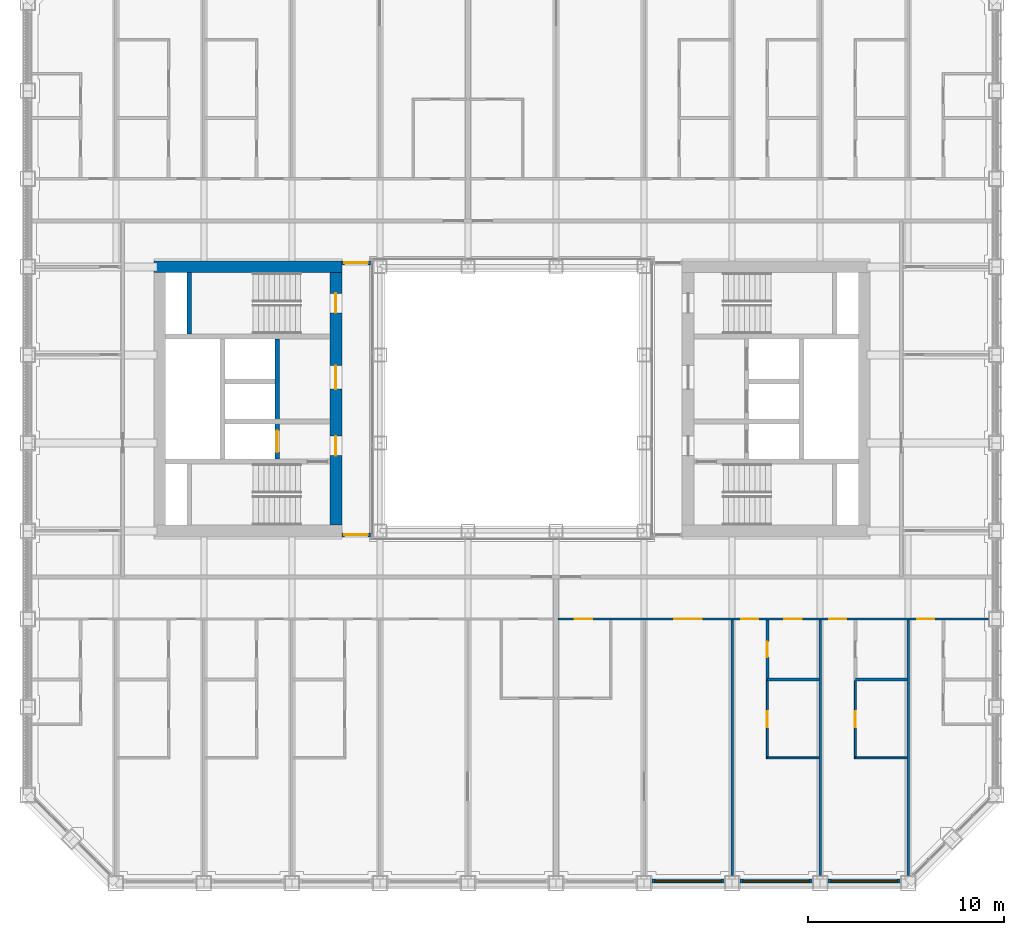
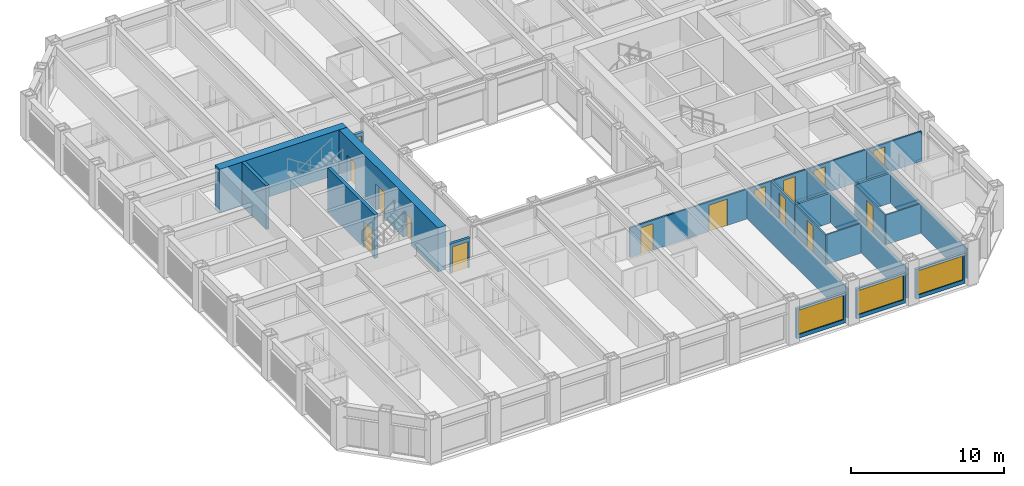
# One storey, part 11 of 21: 20 walls, 15 doors, 3 windows, 18 openings.
"""IFC4 building model written with IfcOpenShell, lengths in metres."""

from ifc_helpers import new_model, si_unit, direction, frame, frame_2d, origin, place, context, subcontext, project, spatial, rectangle, extrude, material, layer, layer_set, type_object, element, fill, save


model = new_model("IFC4")

# Units and contexts
model_context = context("Model", 3, precision=1e-05, world=origin(), true_north=direction((0.0, 1.0)))
body_context = subcontext(model_context, "Body", "Model", "MODEL_VIEW")
ifc_project = project(units=[si_unit("LENGTHUNIT", "METRE"), si_unit("AREAUNIT", "SQUARE_METRE"), si_unit("VOLUMEUNIT", "CUBIC_METRE"), si_unit("PLANEANGLEUNIT", "RADIAN"), si_unit("MASSUNIT", "GRAM", prefix="KILO")], contexts=[model_context])

# Site, building, storey
site_placement = place(None, origin())
site = spatial("IfcSite", under=ifc_project, at=site_placement, CompositionType="ELEMENT")
building_placement = place(site_placement, origin())
building = spatial("IfcBuilding", under=site, at=building_placement, Name="Msasa Ring Tower", CompositionType="ELEMENT")
storey_placement = place(building_placement, frame((0.0, 0.0, 82.5)))
storey = spatial("IfcBuildingStorey", under=building, at=storey_placement, Name="L21", CompositionType="ELEMENT", Elevation=82.5)

# Wall
ifc_material_1 = material(Name="Concrete C60/75", Category="concrete")
ifc_layer_1 = layer(ifc_material_1, 0.60009765625)
ifc_layer_set_1 = layer_set([ifc_layer_1], Name="CW1 CORE WALL 600")
wall_type_1 = type_object("IfcWallType", Name="CW1 CORE WALL 600", PredefinedType="SHEAR", material=ifc_layer_set_1)
wall_1_placement = place(storey_placement, frame((-8.699951171875, 6.75, 0.0), z_axis=(0.0, 0.0, 1.0), x_axis=(-1.0, 0.0, 0.0)))
element("IfcWall", 1, at=wall_1_placement, inside=storey, type_object=wall_type_1, Name="W core wall N L21", PredefinedType="SHEAR", context=body_context, shape_type="SweptSolid", body=[
    extrude(rectangle(XDim=9.60009765625, YDim=0.60009765625, at=frame_2d((4.800048828125, 0.0))), origin(), (0.0, 0.0, 1.0), 3.5),
])

# Wall, openings, doors
wall_2_placement = place(storey_placement, frame((-9.0, -6.449951171875, 0.0), z_axis=(0.0, 0.0, 1.0), x_axis=(0.0, 1.0, 0.0)))
wall_2 = element("IfcWall", 2, at=wall_2_placement, inside=storey, type_object=wall_type_1, Name="W core wall W L21", PredefinedType="SHEAR", context=body_context, shape_type="SweptSolid", body=[
    extrude(rectangle(XDim=12.89990234375, YDim=0.60009765625, at=frame_2d((6.449951171875, 0.0))), origin(), (0.0, 0.0, 1.0), 3.5),
])
opening_1_placement = place(wall_2_placement, frame((3.550048828125, 0.0, 0.0)))
opening_1 = element("IfcOpeningElement", 3, at=opening_1_placement, cuts=wall_2, Name="Opening RF-046", PredefinedType="OPENING", context=body_context, shape_type="SweptSolid", body=[
    extrude(rectangle(XDim=1.0, YDim=2.10009765625, at=frame_2d((0.5, 1.050048828125))), frame((0.0, 0.31005859375, 0.0), z_axis=(0.0, -1.0, 0.0), x_axis=(1.0, 0.0, 0.0)), (0.0, 0.0, 1.0), 0.6201171875),
])
opening_2_placement = place(wall_2_placement, frame((6.949951171875, 0.0, 0.0)))
opening_2 = element("IfcOpeningElement", 4, at=opening_2_placement, cuts=wall_2, Name="Opening RF-042", PredefinedType="OPENING", context=body_context, shape_type="SweptSolid", body=[
    extrude(rectangle(XDim=1.199951171875, YDim=2.10009765625, at=frame_2d((0.60009765625, 1.050048828125))), frame((0.0, 0.31005859375, 0.0), z_axis=(0.0, -1.0, 0.0), x_axis=(1.0, 0.0, 0.0)), (0.0, 0.0, 1.0), 0.6201171875),
])
opening_3_placement = place(wall_2_placement, frame((10.85009765625, 0.0, 0.0)))
opening_3 = element("IfcOpeningElement", 5, at=opening_3_placement, cuts=wall_2, Name="Opening RF-038", PredefinedType="OPENING", context=body_context, shape_type="SweptSolid", body=[
    extrude(rectangle(XDim=1.0, YDim=2.10009765625, at=frame_2d((0.5, 1.050048828125))), frame((0.0, 0.31005859375, 0.0), z_axis=(0.0, -1.0, 0.0), x_axis=(1.0, 0.0, 0.0)), (0.0, 0.0, 1.0), 0.6201171875),
])
ifc_material_2 = material(Name="Timber door leaf in a steel frame", Category="steel")
door_type_1 = type_object("IfcDoorType", Name="D26 WIDE SERVICE ROOM DOOR 1200x2100", OperationType="SINGLE_SWING_LEFT", PredefinedType="DOOR", material=ifc_material_2)
door_1_placement = place(opening_2_placement, origin())
door_1 = element("IfcDoor", 6, at=door_1_placement, inside=storey, type_object=door_type_1, Name="Door L21-WCR", OperationType="SINGLE_SWING_RIGHT", OverallHeight=2.10009765625, OverallWidth=1.199951171875, PredefinedType="DOOR", context=body_context, shape_type="SweptSolid", body=[
    extrude(rectangle(XDim=1.199951171875, YDim=2.10009765625, at=frame_2d((0.60009765625, 1.050048828125))), frame((0.0, 0.02490234375, 0.0), z_axis=(0.0, -1.0, 0.0), x_axis=(1.0, 0.0, 0.0)), (0.0, 0.0, 1.0), 0.050048828125),
])
fill(opening_2, door_1)
ifc_material_3 = material(Name="Timber door leaf in a steel frame", Category="steel")
door_type_2 = type_object("IfcDoorType", Name="D4 LOBBY DOOR 1000x2100", OperationType="SINGLE_SWING_LEFT", PredefinedType="DOOR", material=ifc_material_3)
door_2_placement = place(opening_1_placement, origin())
door_2 = element("IfcDoor", 7, at=door_2_placement, inside=storey, type_object=door_type_2, Name="Door L21-WFFL", OperationType="SINGLE_SWING_LEFT", OverallHeight=2.10009765625, OverallWidth=1.0, PredefinedType="DOOR", context=body_context, shape_type="SweptSolid", body=[
    extrude(rectangle(XDim=1.0, YDim=2.10009765625, at=frame_2d((0.5, 1.050048828125))), frame((0.0, 0.02490234375, 0.0), z_axis=(0.0, -1.0, 0.0), x_axis=(1.0, 0.0, 0.0)), (0.0, 0.0, 1.0), 0.050048828125),
])
fill(opening_1, door_2)
ifc_material_4 = material(Name="Timber door leaf in a steel frame", Category="steel")
door_type_3 = type_object("IfcDoorType", Name="D6 STAIR DOOR 1000x2100", OperationType="SINGLE_SWING_LEFT", PredefinedType="DOOR", material=ifc_material_4)
door_3_placement = place(opening_3_placement, origin())
door_3 = element("IfcDoor", 8, at=door_3_placement, inside=storey, type_object=door_type_3, Name="Door L21-WSTB", OperationType="SINGLE_SWING_RIGHT", OverallHeight=2.10009765625, OverallWidth=1.0, PredefinedType="DOOR", context=body_context, shape_type="SweptSolid", body=[
    extrude(rectangle(XDim=1.0, YDim=2.10009765625, at=frame_2d((0.5, 1.050048828125))), frame((0.0, 0.02490234375, 0.0), z_axis=(0.0, -1.0, 0.0), x_axis=(1.0, 0.0, 0.0)), (0.0, 0.0, 1.0), 0.050048828125),
])
fill(opening_3, door_3)

# Wall
ifc_material_5 = material(Name="Concrete C60/75", Category="concrete")
ifc_layer_2 = layer(ifc_material_5, 0.25)
ifc_layer_set_2 = layer_set([ifc_layer_2], Name="CW4 CORE INNER WALL 250")
wall_type_2 = type_object("IfcWallType", Name="CW4 CORE INNER WALL 250", PredefinedType="SHEAR", material=ifc_layer_set_2)
wall_3_placement = place(storey_placement, frame((-16.5, 3.324951171875, 0.0), z_axis=(0.0, 0.0, 1.0), x_axis=(0.0, 1.0, 0.0)))
element("IfcWall", 9, at=wall_3_placement, inside=storey, type_object=wall_type_2, Name="W core wall RISERB L21", PredefinedType="SHEAR", context=body_context, shape_type="SweptSolid", body=[
    extrude(rectangle(XDim=3.125, YDim=0.25, at=frame_2d((1.5625, 0.0))), origin(), (0.0, 0.0, 1.0), 3.5),
])

# Wall, opening, door
wall_4_placement = place(storey_placement, frame((-12.0, -3.074951171875, 0.0), z_axis=(0.0, 0.0, 1.0), x_axis=(0.0, 1.0, 0.0)))
wall_4 = element("IfcWall", 10, at=wall_4_placement, inside=storey, type_object=wall_type_2, Name="W core wall LOBBY L21", PredefinedType="SHEAR", context=body_context, shape_type="SweptSolid", body=[
    extrude(rectangle(XDim=6.14990234375, YDim=0.25, at=frame_2d((3.074951171875, 0.0))), origin(), (0.0, 0.0, 1.0), 3.5),
])
opening_4_placement = place(wall_4_placement, frame((0.35009765625, 0.0, 0.0)))
opening_4 = element("IfcOpeningElement", 11, at=opening_4_placement, cuts=wall_4, Name="Opening LD1", PredefinedType="OPENING", context=body_context, shape_type="SweptSolid", body=[
    extrude(rectangle(XDim=1.10009765625, YDim=2.10009765625, at=frame_2d((0.550048828125, 1.050048828125))), frame((0.0, 0.135009765625, 0.0), z_axis=(0.0, -1.0, 0.0), x_axis=(1.0, 0.0, 0.0)), (0.0, 0.0, 1.0), 0.27001953125),
])
ifc_material_6 = material(Name="Stainless steel lift landing door", Category="steel")
door_type_4 = type_object("IfcDoorType", Name="LD1 LIFT LANDING DOOR 1100x2100", OperationType="DOUBLE_DOOR_SLIDING", PredefinedType="DOOR", material=ifc_material_6)
door_4_placement = place(opening_4_placement, origin())
door_4 = element("IfcDoor", 12, at=door_4_placement, inside=storey, type_object=door_type_4, Name="Lift landing door FL-W L21", OperationType="DOUBLE_DOOR_SLIDING", OverallHeight=2.10009765625, OverallWidth=1.10009765625, PredefinedType="DOOR", context=body_context, shape_type="SweptSolid", body=[
    extrude(rectangle(XDim=1.10009765625, YDim=2.10009765625, at=frame_2d((0.550048828125, 1.050048828125))), frame((0.0, 0.02490234375, 0.0), z_axis=(0.0, -1.0, 0.0), x_axis=(1.0, 0.0, 0.0)), (0.0, 0.0, 1.0), 0.050048828125),
])
fill(opening_4, door_4)

# Wall, opening, window
ifc_material_7 = material(Name="Terracotta rainscreen on blockwork", Category="masonry")
ifc_layer_3 = layer(ifc_material_7, 0.199951171875)
ifc_layer_set_3 = layer_set([ifc_layer_3], Name="FW1 TERRACOTTA-LINED INFILL BAY WALL 200")
wall_type_3 = type_object("IfcWallType", Name="FW1 TERRACOTTA-LINED INFILL BAY WALL 200", PredefinedType="SOLIDWALL", material=ifc_layer_set_3)
wall_5_placement = place(storey_placement, frame((7.155029296875, -24.64990234375, 0.0), z_axis=(0.0, 0.0, 1.0), x_axis=(1.0, 0.0, 0.0)))
wall_5 = element("IfcWall", 13, at=wall_5_placement, inside=storey, type_object=wall_type_3, Name="Infill bay wall S L21 06", PredefinedType="SOLIDWALL", context=body_context, shape_type="SweptSolid", body=[
    extrude(rectangle(XDim=3.68994140625, YDim=0.199951171875, at=frame_2d((1.844970703125, 0.0))), origin(), (0.0, 0.0, 1.0), 2.37890625),
])
opening_5_placement = place(wall_5_placement, frame((0.14501953125, 0.0, 0.300048828125)))
opening_5 = element("IfcOpeningElement", 14, at=opening_5_placement, cuts=wall_5, Name="Opening WN1", PredefinedType="OPENING", context=body_context, shape_type="SweptSolid", body=[
    extrude(rectangle(XDim=3.39990234375, YDim=1.928955078125, at=frame_2d((1.699951171875, 0.96435546875))), frame((0.0, 0.10986328125, 0.0), z_axis=(0.0, -1.0, 0.0), x_axis=(1.0, 0.0, 0.0)), (0.0, 0.0, 1.0), 0.219970703125),
])
ifc_material_8 = material(Name="Aluminium frame with clear glass", Category="aluminium")
window_type = type_object("IfcWindowType", Name="WN1 RESIDENCE WINDOW 3400x1929", PartitioningType="SINGLE_PANEL", PredefinedType="WINDOW", material=ifc_material_8)
window_1_placement = place(opening_5_placement, origin())
window_1 = element("IfcWindow", 15, at=window_1_placement, inside=storey, type_object=window_type, Name="Window S L21 06", OverallHeight=1.928955078125, OverallWidth=3.39990234375, PartitioningType="SINGLE_PANEL", PredefinedType="WINDOW", context=body_context, shape_type="SweptSolid", body=[
    extrude(rectangle(XDim=3.39990234375, YDim=1.928955078125, at=frame_2d((1.699951171875, 0.96435546875))), frame((0.0, 0.030029296875, 0.0), z_axis=(0.0, -1.0, 0.0), x_axis=(1.0, 0.0, 0.0)), (0.0, 0.0, 1.0), 0.06005859375),
])
fill(opening_5, window_1)

wall_6_placement = place(storey_placement, frame((11.655029296875, -24.64990234375, 0.0), z_axis=(0.0, 0.0, 1.0), x_axis=(1.0, 0.0, 0.0)))
wall_6 = element("IfcWall", 16, at=wall_6_placement, inside=storey, type_object=wall_type_3, Name="Infill bay wall S L21 07", PredefinedType="SOLIDWALL", context=body_context, shape_type="SweptSolid", body=[
    extrude(rectangle(XDim=3.68994140625, YDim=0.199951171875, at=frame_2d((1.844970703125, 0.0))), origin(), (0.0, 0.0, 1.0), 2.37890625),
])
opening_6_placement = place(wall_6_placement, frame((0.14501953125, 0.0, 0.300048828125)))
opening_6 = element("IfcOpeningElement", 17, at=opening_6_placement, cuts=wall_6, Name="Opening WN1", PredefinedType="OPENING", context=body_context, shape_type="SweptSolid", body=[
    extrude(rectangle(XDim=3.39990234375, YDim=1.928955078125, at=frame_2d((1.699951171875, 0.96435546875))), frame((0.0, 0.10986328125, 0.0), z_axis=(0.0, -1.0, 0.0), x_axis=(1.0, 0.0, 0.0)), (0.0, 0.0, 1.0), 0.219970703125),
])
window_2_placement = place(opening_6_placement, origin())
window_2 = element("IfcWindow", 18, at=window_2_placement, inside=storey, type_object=window_type, Name="Window S L21 07", OverallHeight=1.928955078125, OverallWidth=3.39990234375, PartitioningType="SINGLE_PANEL", PredefinedType="WINDOW", context=body_context, shape_type="SweptSolid", body=[
    extrude(rectangle(XDim=3.39990234375, YDim=1.928955078125, at=frame_2d((1.699951171875, 0.96435546875))), frame((0.0, 0.030029296875, 0.0), z_axis=(0.0, -1.0, 0.0), x_axis=(1.0, 0.0, 0.0)), (0.0, 0.0, 1.0), 0.06005859375),
])
fill(opening_6, window_2)

wall_7_placement = place(storey_placement, frame((16.155029296875, -24.64990234375, 0.0), z_axis=(0.0, 0.0, 1.0), x_axis=(1.0, 0.0, 0.0)))
wall_7 = element("IfcWall", 19, at=wall_7_placement, inside=storey, type_object=wall_type_3, Name="Infill bay wall S L21 08", PredefinedType="SOLIDWALL", context=body_context, shape_type="SweptSolid", body=[
    extrude(rectangle(XDim=3.68994140625, YDim=0.199951171875, at=frame_2d((1.844970703125, 0.0))), origin(), (0.0, 0.0, 1.0), 2.37890625),
])
opening_7_placement = place(wall_7_placement, frame((0.14501953125, 0.0, 0.300048828125)))
opening_7 = element("IfcOpeningElement", 20, at=opening_7_placement, cuts=wall_7, Name="Opening WN1", PredefinedType="OPENING", context=body_context, shape_type="SweptSolid", body=[
    extrude(rectangle(XDim=3.39990234375, YDim=1.928955078125, at=frame_2d((1.699951171875, 0.96435546875))), frame((0.0, 0.10986328125, 0.0), z_axis=(0.0, -1.0, 0.0), x_axis=(1.0, 0.0, 0.0)), (0.0, 0.0, 1.0), 0.219970703125),
])
window_3_placement = place(opening_7_placement, origin())
window_3 = element("IfcWindow", 21, at=window_3_placement, inside=storey, type_object=window_type, Name="Window S L21 08", OverallHeight=1.928955078125, OverallWidth=3.39990234375, PartitioningType="SINGLE_PANEL", PredefinedType="WINDOW", context=body_context, shape_type="SweptSolid", body=[
    extrude(rectangle(XDim=3.39990234375, YDim=1.928955078125, at=frame_2d((1.699951171875, 0.96435546875))), frame((0.0, 0.030029296875, 0.0), z_axis=(0.0, -1.0, 0.0), x_axis=(1.0, 0.0, 0.0)), (0.0, 0.0, 1.0), 0.06005859375),
])
fill(opening_7, window_3)

# Wall, opening, door
ifc_material_9 = material(Name="Concrete blockwork", Category="masonry")
ifc_layer_4 = layer(ifc_material_9, 0.199951171875)
ifc_layer_set_4 = layer_set([ifc_layer_4], Name="PT1 CORRIDOR WALL 200")
wall_type_4 = type_object("IfcWallType", Name="PT1 CORRIDOR WALL 200", PredefinedType="PARTITIONING", material=ifc_layer_set_4)
wall_8_placement = place(storey_placement, frame((-8.699951171875, 6.949951171875, 0.0), z_axis=(0.0, 0.0, 1.0), x_axis=(1.0, 0.0, 0.0)))
wall_8 = element("IfcWall", 22, at=wall_8_placement, inside=storey, type_object=wall_type_4, Name="Corridor wall L21-SDWN", PredefinedType="PARTITIONING", context=body_context, shape_type="SweptSolid", body=[
    extrude(rectangle(XDim=1.469970703125, YDim=0.199951171875, at=frame_2d((0.73486328125, 0.0))), origin(), (0.0, 0.0, 1.0), 2.373291015625),
])
opening_8_placement = place(wall_8_placement, frame((0.135009765625, 0.0, 0.0)))
opening_8 = element("IfcOpeningElement", 23, at=opening_8_placement, cuts=wall_8, Name="Opening RF-034", PredefinedType="OPENING", context=body_context, shape_type="SweptSolid", body=[
    extrude(rectangle(XDim=1.199951171875, YDim=2.10009765625, at=frame_2d((0.60009765625, 1.050048828125))), frame((0.0, 0.10986328125, 0.0), z_axis=(0.0, -1.0, 0.0), x_axis=(1.0, 0.0, 0.0)), (0.0, 0.0, 1.0), 0.219970703125),
])
ifc_material_10 = material(Name="Timber door leaf in a steel frame", Category="steel")
door_type_5 = type_object("IfcDoorType", Name="D25 CORRIDOR PAIR OF SMOKE DOORS 1200x2100", OperationType="DOUBLE_DOOR_DOUBLE_SWING", PredefinedType="DOOR", material=ifc_material_10)
door_5_placement = place(opening_8_placement, origin())
door_5 = element("IfcDoor", 24, at=door_5_placement, inside=storey, type_object=door_type_5, Name="Door L21-SDWN", OperationType="DOUBLE_DOOR_DOUBLE_SWING", OverallHeight=2.10009765625, OverallWidth=1.199951171875, PredefinedType="DOOR", context=body_context, shape_type="SweptSolid", body=[
    extrude(rectangle(XDim=1.199951171875, YDim=2.10009765625, at=frame_2d((0.60009765625, 1.050048828125))), frame((0.0, 0.02490234375, 0.0), z_axis=(0.0, -1.0, 0.0), x_axis=(1.0, 0.0, 0.0)), (0.0, 0.0, 1.0), 0.050048828125),
])
fill(opening_8, door_5)

wall_9_placement = place(storey_placement, frame((-8.699951171875, -6.949951171875, 0.0), z_axis=(0.0, 0.0, 1.0), x_axis=(1.0, 0.0, 0.0)))
wall_9 = element("IfcWall", 25, at=wall_9_placement, inside=storey, type_object=wall_type_4, Name="Corridor wall L21-SDWS", PredefinedType="PARTITIONING", context=body_context, shape_type="SweptSolid", body=[
    extrude(rectangle(XDim=1.469970703125, YDim=0.199951171875, at=frame_2d((0.73486328125, 0.0))), origin(), (0.0, 0.0, 1.0), 2.373291015625),
])
opening_9_placement = place(wall_9_placement, frame((0.135009765625, 0.0, 0.0)))
opening_9 = element("IfcOpeningElement", 26, at=opening_9_placement, cuts=wall_9, Name="Opening RF-052", PredefinedType="OPENING", context=body_context, shape_type="SweptSolid", body=[
    extrude(rectangle(XDim=1.199951171875, YDim=2.10009765625, at=frame_2d((0.60009765625, 1.050048828125))), frame((0.0, 0.10986328125, 0.0), z_axis=(0.0, -1.0, 0.0), x_axis=(1.0, 0.0, 0.0)), (0.0, 0.0, 1.0), 0.219970703125),
])
door_6_placement = place(opening_9_placement, origin())
door_6 = element("IfcDoor", 27, at=door_6_placement, inside=storey, type_object=door_type_5, Name="Door L21-SDWS", OperationType="DOUBLE_DOOR_DOUBLE_SWING", OverallHeight=2.10009765625, OverallWidth=1.199951171875, PredefinedType="DOOR", context=body_context, shape_type="SweptSolid", body=[
    extrude(rectangle(XDim=1.199951171875, YDim=2.10009765625, at=frame_2d((0.60009765625, 1.050048828125))), frame((0.0, 0.02490234375, 0.0), z_axis=(0.0, -1.0, 0.0), x_axis=(1.0, 0.0, 0.0)), (0.0, 0.0, 1.0), 0.050048828125),
])
fill(opening_9, door_6)

ifc_material_11 = material(Name="Gypsum board on steel studs", Category="steel")
ifc_layer_5 = layer(ifc_material_11, 0.10009765625)
ifc_layer_set_5 = layer_set([ifc_layer_5], Name="PT2 STUD PARTITION 100")
wall_type_5 = type_object("IfcWallType", Name="PT2 STUD PARTITION 100", PredefinedType="PARTITIONING", material=ifc_layer_set_5)
wall_10_placement = place(storey_placement, frame((13.050048828125, -18.403076171875, 0.0), z_axis=(0.0, 0.0, 1.0), x_axis=(0.0, 1.0, 0.0)))
wall_10 = element("IfcWall", 28, at=wall_10_placement, inside=storey, type_object=wall_type_5, Name="Partition L21-VSEWX1", PredefinedType="PARTITIONING", context=body_context, shape_type="SweptSolid", body=[
    extrude(rectangle(XDim=4.003173828125, YDim=0.10009765625, at=frame_2d((2.00146484375, 0.0))), origin(), (0.0, 0.0, 1.0), 2.373291015625),
])
opening_10_placement = place(wall_10_placement, frame((1.626708984375, 0.0, 0.0)))
opening_10 = element("IfcOpeningElement", 29, at=opening_10_placement, cuts=wall_10, Name="Opening RF-083", PredefinedType="OPENING", context=body_context, shape_type="SweptSolid", body=[
    extrude(rectangle(XDim=0.800048828125, YDim=2.10009765625, at=frame_2d((0.39990234375, 1.050048828125))), frame((0.0, 0.06005859375, 0.0), z_axis=(0.0, -1.0, 0.0), x_axis=(1.0, 0.0, 0.0)), (0.0, 0.0, 1.0), 0.1201171875),
])
ifc_material_12 = material(Name="Timber door leaf in a steel frame", Category="steel")
door_type_6 = type_object("IfcDoorType", Name="D60 DRESSING ROOM DOOR 800x2100", OperationType="SINGLE_SWING_LEFT", PredefinedType="DOOR", material=ifc_material_12)
door_7_placement = place(opening_10_placement, origin())
door_7 = element("IfcDoor", 30, at=door_7_placement, inside=storey, type_object=door_type_6, Name="Door L21-VSEW1", OperationType="SINGLE_SWING_LEFT", OverallHeight=2.10009765625, OverallWidth=0.800048828125, PredefinedType="DOOR", context=body_context, shape_type="SweptSolid", body=[
    extrude(rectangle(XDim=0.800048828125, YDim=2.10009765625, at=frame_2d((0.39990234375, 1.050048828125))), frame((0.0, 0.02490234375, 0.0), z_axis=(0.0, -1.0, 0.0), x_axis=(1.0, 0.0, 0.0)), (0.0, 0.0, 1.0), 0.050048828125),
])
fill(opening_10, door_7)

# Wall
wall_11_placement = place(storey_placement, frame((13.050048828125, -18.35302734375, 0.0), z_axis=(0.0, 0.0, 1.0), x_axis=(1.0, 0.0, 0.0)))
element("IfcWall", 31, at=wall_11_placement, inside=storey, type_object=wall_type_5, Name="Partition L21-VSEWY1", PredefinedType="PARTITIONING", context=body_context, shape_type="SweptSolid", body=[
    extrude(rectangle(XDim=2.639892578125, YDim=0.10009765625, at=frame_2d((1.31982421875, 0.0))), origin(), (0.0, 0.0, 1.0), 2.373291015625),
])

# Wall, opening, door
wall_12_placement = place(storey_placement, frame((17.550048828125, -18.400390625, 0.0), z_axis=(0.0, 0.0, 1.0), x_axis=(0.0, 1.0, 0.0)))
wall_12 = element("IfcWall", 32, at=wall_12_placement, inside=storey, type_object=wall_type_5, Name="Partition L21-VSEWX2", PredefinedType="PARTITIONING", context=body_context, shape_type="SweptSolid", body=[
    extrude(rectangle(XDim=4.00048828125, YDim=0.10009765625, at=frame_2d((2.000244140625, 0.0))), origin(), (0.0, 0.0, 1.0), 2.373291015625),
])
opening_11_placement = place(wall_12_placement, frame((1.625244140625, 0.0, 0.0)))
opening_11 = element("IfcOpeningElement", 33, at=opening_11_placement, cuts=wall_12, Name="Opening RF-084", PredefinedType="OPENING", context=body_context, shape_type="SweptSolid", body=[
    extrude(rectangle(XDim=0.800048828125, YDim=2.10009765625, at=frame_2d((0.39990234375, 1.050048828125))), frame((0.0, 0.06005859375, 0.0), z_axis=(0.0, -1.0, 0.0), x_axis=(1.0, 0.0, 0.0)), (0.0, 0.0, 1.0), 0.1201171875),
])
door_8_placement = place(opening_11_placement, origin())
door_8 = element("IfcDoor", 34, at=door_8_placement, inside=storey, type_object=door_type_6, Name="Door L21-VSEW2", OperationType="SINGLE_SWING_LEFT", OverallHeight=2.10009765625, OverallWidth=0.800048828125, PredefinedType="DOOR", context=body_context, shape_type="SweptSolid", body=[
    extrude(rectangle(XDim=0.800048828125, YDim=2.10009765625, at=frame_2d((0.39990234375, 1.050048828125))), frame((0.0, 0.02490234375, 0.0), z_axis=(0.0, -1.0, 0.0), x_axis=(1.0, 0.0, 0.0)), (0.0, 0.0, 1.0), 0.050048828125),
])
fill(opening_11, door_8)

# Wall
wall_13_placement = place(storey_placement, frame((17.550048828125, -18.350341796875, 0.0), z_axis=(0.0, 0.0, 1.0), x_axis=(1.0, 0.0, 0.0)))
element("IfcWall", 35, at=wall_13_placement, inside=storey, type_object=wall_type_5, Name="Partition L21-VSEWY2", PredefinedType="PARTITIONING", context=body_context, shape_type="SweptSolid", body=[
    extrude(rectangle(XDim=2.639892578125, YDim=0.10009765625, at=frame_2d((1.31982421875, 0.0))), origin(), (0.0, 0.0, 1.0), 2.373291015625),
])

# Wall, opening, door
ifc_material_13 = material(Name="Moisture-resistant board on steel studs with a concealed cistern and pipe void, tiled", Category="steel")
ifc_layer_6 = layer(ifc_material_13, 0.14990234375)
ifc_layer_set_6 = layer_set([ifc_layer_6], Name="PT4 BATHROOM WET WALL 150")
wall_type_6 = type_object("IfcWallType", Name="PT4 BATHROOM WET WALL 150", PredefinedType="PARTITIONING", material=ifc_layer_set_6)
wall_14_placement = place(storey_placement, frame((13.050048828125, -14.39990234375, 0.0), z_axis=(0.0, 0.0, 1.0), x_axis=(0.0, 1.0, 0.0)))
wall_14 = element("IfcWall", 36, at=wall_14_placement, inside=storey, type_object=wall_type_6, Name="Partition L21-VSEBX1", PredefinedType="PARTITIONING", context=body_context, shape_type="SweptSolid", body=[
    extrude(rectangle(XDim=3.08740234375, YDim=0.14990234375, at=frame_2d((1.543701171875, 0.0))), origin(), (0.0, 0.0, 1.0), 2.373291015625),
])
opening_12_placement = place(wall_14_placement, frame((1.199951171875, 0.0, 0.0)))
opening_12 = element("IfcOpeningElement", 37, at=opening_12_placement, cuts=wall_14, Name="Opening RF-073", PredefinedType="OPENING", context=body_context, shape_type="SweptSolid", body=[
    extrude(rectangle(XDim=0.800048828125, YDim=2.10009765625, at=frame_2d((0.39990234375, 1.050048828125))), frame((0.0, 0.0849609375, 0.0), z_axis=(0.0, -1.0, 0.0), x_axis=(1.0, 0.0, 0.0)), (0.0, 0.0, 1.0), 0.169921875),
])
ifc_material_14 = material(Name="Timber door leaf in a steel frame", Category="steel")
door_type_7 = type_object("IfcDoorType", Name="D21 POCKET SLIDING BATHROOM DOOR 800x2100", OperationType="SINGLE_SWING_LEFT", PredefinedType="DOOR", material=ifc_material_14)
door_9_placement = place(opening_12_placement, origin())
door_9 = element("IfcDoor", 38, at=door_9_placement, inside=storey, type_object=door_type_7, Name="Door L21-VSEB1", OperationType="SINGLE_SWING_RIGHT", OverallHeight=2.10009765625, OverallWidth=0.800048828125, PredefinedType="DOOR", context=body_context, shape_type="SweptSolid", body=[
    extrude(rectangle(XDim=0.800048828125, YDim=2.10009765625, at=frame_2d((0.39990234375, 1.050048828125))), frame((0.0, 0.02490234375, 0.0), z_axis=(0.0, -1.0, 0.0), x_axis=(1.0, 0.0, 0.0)), (0.0, 0.0, 1.0), 0.050048828125),
])
fill(opening_12, door_9)

# Walls
for number, where, z_axis, x_axis, name in (
    (39, (13.050048828125, -14.35009765625, 0.0), (0.0, 0.0, 1.0), (1.0, 0.0, 0.0), "Partition L21-VSEBY1"),
    (40, (17.550048828125, -14.35009765625, 0.0), (0.0, 0.0, 1.0), (1.0, 0.0, 0.0), "Partition L21-VSEBY2"),
):
    element("IfcWall", number, at=place(storey_placement, frame(where, z_axis=z_axis, x_axis=x_axis)), inside=storey, type_object=wall_type_6, Name=name, PredefinedType="PARTITIONING", context=body_context, shape_type="SweptSolid", body=[
        extrude(rectangle(XDim=2.639892578125, YDim=0.14990234375, at=frame_2d((1.31982421875, 0.0))), origin(), (0.0, 0.0, 1.0), 2.373291015625),
    ])

# Wall, openings, doors
ifc_material_15 = material(Name="Two layers of acoustic board each face on steel studs, mineral wool", Category="steel")
ifc_layer_7 = layer(ifc_material_15, 0.125)
ifc_layer_set_7 = layer_set([ifc_layer_7], Name="PT6 ACOUSTIC DOUBLE-BOARD PARTITION 125")
wall_type_7 = type_object("IfcWallType", Name="PT6 ACOUSTIC DOUBLE-BOARD PARTITION 125", PredefinedType="PARTITIONING", material=ifc_layer_set_7)
wall_15_placement = place(storey_placement, frame((2.35009765625, -11.25, 0.0), z_axis=(0.0, 0.0, 1.0), x_axis=(1.0, 0.0, 0.0)))
wall_15 = element("IfcWall", 41, at=wall_15_placement, inside=storey, type_object=wall_type_7, Name="Partition L21-VSEHY", PredefinedType="PARTITIONING", context=body_context, shape_type="SweptSolid", body=[
    extrude(rectangle(XDim=22.0, YDim=0.125, at=frame_2d((11.0, 0.0))), origin(), (0.0, 0.0, 1.0), 2.373291015625),
])
opening_13_placement = place(wall_15_placement, frame((0.85009765625, 0.0, 0.0)))
opening_13 = element("IfcOpeningElement", 42, at=opening_13_placement, cuts=wall_15, Name="Opening RF-063", PredefinedType="OPENING", context=body_context, shape_type="SweptSolid", body=[
    extrude(rectangle(XDim=0.89990234375, YDim=2.10009765625, at=frame_2d((0.449951171875, 1.050048828125))), frame((0.0, 0.072509765625, 0.0), z_axis=(0.0, -1.0, 0.0), x_axis=(1.0, 0.0, 0.0)), (0.0, 0.0, 1.0), 0.14501953125),
])
opening_14_placement = place(wall_15_placement, frame((5.949951171875, 0.0, 0.0)))
opening_14 = element("IfcOpeningElement", 43, at=opening_14_placement, cuts=wall_15, Name="Opening RF-064", PredefinedType="OPENING", context=body_context, shape_type="SweptSolid", body=[
    extrude(rectangle(XDim=1.39990234375, YDim=2.10009765625, at=frame_2d((0.699951171875, 1.050048828125))), frame((0.0, 0.072509765625, 0.0), z_axis=(0.0, -1.0, 0.0), x_axis=(1.0, 0.0, 0.0)), (0.0, 0.0, 1.0), 0.14501953125),
])
opening_15_placement = place(wall_15_placement, frame((9.375, 0.0, 0.0)))
opening_15 = element("IfcOpeningElement", 44, at=opening_15_placement, cuts=wall_15, Name="Opening RF-065", PredefinedType="OPENING", context=body_context, shape_type="SweptSolid", body=[
    extrude(rectangle(XDim=0.85009765625, YDim=2.10009765625, at=frame_2d((0.425048828125, 1.050048828125))), frame((0.0, 0.072509765625, 0.0), z_axis=(0.0, -1.0, 0.0), x_axis=(1.0, 0.0, 0.0)), (0.0, 0.0, 1.0), 0.14501953125),
])
opening_16_placement = place(wall_15_placement, frame((11.570068359375, 0.0, 0.0)))
opening_16 = element("IfcOpeningElement", 45, at=opening_16_placement, cuts=wall_15, Name="Opening RF-066", PredefinedType="OPENING", context=body_context, shape_type="SweptSolid", body=[
    extrude(rectangle(XDim=0.89990234375, YDim=2.10009765625, at=frame_2d((0.449951171875, 1.050048828125))), frame((0.0, 0.072509765625, 0.0), z_axis=(0.0, -1.0, 0.0), x_axis=(1.0, 0.0, 0.0)), (0.0, 0.0, 1.0), 0.14501953125),
])
opening_17_placement = place(wall_15_placement, frame((13.875, 0.0, 0.0)))
opening_17 = element("IfcOpeningElement", 46, at=opening_17_placement, cuts=wall_15, Name="Opening RF-067", PredefinedType="OPENING", context=body_context, shape_type="SweptSolid", body=[
    extrude(rectangle(XDim=0.85009765625, YDim=2.10009765625, at=frame_2d((0.425048828125, 1.050048828125))), frame((0.0, 0.072509765625, 0.0), z_axis=(0.0, -1.0, 0.0), x_axis=(1.0, 0.0, 0.0)), (0.0, 0.0, 1.0), 0.14501953125),
])
opening_18_placement = place(wall_15_placement, frame((18.375, 0.0, 0.0)))
opening_18 = element("IfcOpeningElement", 47, at=opening_18_placement, cuts=wall_15, Name="Opening RF-068", PredefinedType="OPENING", context=body_context, shape_type="SweptSolid", body=[
    extrude(rectangle(XDim=0.85009765625, YDim=2.10009765625, at=frame_2d((0.425048828125, 1.050048828125))), frame((0.0, 0.072509765625, 0.0), z_axis=(0.0, -1.0, 0.0), x_axis=(1.0, 0.0, 0.0)), (0.0, 0.0, 1.0), 0.14501953125),
])
ifc_material_16 = material(Name="Timber door leaf in a steel frame", Category="steel")
door_type_8 = type_object("IfcDoorType", Name="D14 BEDROOM DOOR 850x2100", OperationType="SINGLE_SWING_LEFT", PredefinedType="DOOR", material=ifc_material_16)
door_10_placement = place(opening_15_placement, origin())
door_10 = element("IfcDoor", 48, at=door_10_placement, inside=storey, type_object=door_type_8, Name="Door L21-VSER1", OperationType="SINGLE_SWING_LEFT", OverallHeight=2.10009765625, OverallWidth=0.85009765625, PredefinedType="DOOR", context=body_context, shape_type="SweptSolid", body=[
    extrude(rectangle(XDim=0.85009765625, YDim=2.10009765625, at=frame_2d((0.425048828125, 1.050048828125))), frame((0.0, 0.02490234375, 0.0), z_axis=(0.0, -1.0, 0.0), x_axis=(1.0, 0.0, 0.0)), (0.0, 0.0, 1.0), 0.050048828125),
])
fill(opening_15, door_10)
door_11_placement = place(opening_17_placement, origin())
door_11 = element("IfcDoor", 49, at=door_11_placement, inside=storey, type_object=door_type_8, Name="Door L21-VSER2", OperationType="SINGLE_SWING_RIGHT", OverallHeight=2.10009765625, OverallWidth=0.85009765625, PredefinedType="DOOR", context=body_context, shape_type="SweptSolid", body=[
    extrude(rectangle(XDim=0.85009765625, YDim=2.10009765625, at=frame_2d((0.425048828125, 1.050048828125))), frame((0.0, 0.02490234375, 0.0), z_axis=(0.0, -1.0, 0.0), x_axis=(1.0, 0.0, 0.0)), (0.0, 0.0, 1.0), 0.050048828125),
])
fill(opening_17, door_11)
door_12_placement = place(opening_18_placement, origin())
door_12 = element("IfcDoor", 50, at=door_12_placement, inside=storey, type_object=door_type_8, Name="Door L21-VSER3", OperationType="SINGLE_SWING_RIGHT", OverallHeight=2.10009765625, OverallWidth=0.85009765625, PredefinedType="DOOR", context=body_context, shape_type="SweptSolid", body=[
    extrude(rectangle(XDim=0.85009765625, YDim=2.10009765625, at=frame_2d((0.425048828125, 1.050048828125))), frame((0.0, 0.02490234375, 0.0), z_axis=(0.0, -1.0, 0.0), x_axis=(1.0, 0.0, 0.0)), (0.0, 0.0, 1.0), 0.050048828125),
])
fill(opening_18, door_12)
ifc_material_17 = material(Name="Timber door leaf in a steel frame", Category="steel")
door_type_9 = type_object("IfcDoorType", Name="D15 LIVING ROOM PAIR OF GLAZED DOORS 1400x2100", OperationType="SINGLE_SWING_LEFT", PredefinedType="DOOR", material=ifc_material_17)
door_13_placement = place(opening_14_placement, origin())
door_13 = element("IfcDoor", 51, at=door_13_placement, inside=storey, type_object=door_type_9, Name="Door L21-VSEL", OperationType="SINGLE_SWING_LEFT", OverallHeight=2.10009765625, OverallWidth=1.39990234375, PredefinedType="DOOR", context=body_context, shape_type="SweptSolid", body=[
    extrude(rectangle(XDim=1.39990234375, YDim=2.10009765625, at=frame_2d((0.699951171875, 1.050048828125))), frame((0.0, 0.02490234375, 0.0), z_axis=(0.0, -1.0, 0.0), x_axis=(1.0, 0.0, 0.0)), (0.0, 0.0, 1.0), 0.050048828125),
])
fill(opening_14, door_13)
ifc_material_18 = material(Name="Timber door leaf in a steel frame", Category="steel")
door_type_10 = type_object("IfcDoorType", Name="D22 INTERNAL HALL DOOR 900x2100", OperationType="SINGLE_SWING_LEFT", PredefinedType="DOOR", material=ifc_material_18)
door_14_placement = place(opening_13_placement, origin())
door_14 = element("IfcDoor", 52, at=door_14_placement, inside=storey, type_object=door_type_10, Name="Door L21-VSEK", OperationType="SINGLE_SWING_LEFT", OverallHeight=2.10009765625, OverallWidth=0.89990234375, PredefinedType="DOOR", context=body_context, shape_type="SweptSolid", body=[
    extrude(rectangle(XDim=0.89990234375, YDim=2.10009765625, at=frame_2d((0.449951171875, 1.050048828125))), frame((0.0, 0.02490234375, 0.0), z_axis=(0.0, -1.0, 0.0), x_axis=(1.0, 0.0, 0.0)), (0.0, 0.0, 1.0), 0.050048828125),
])
fill(opening_13, door_14)
ifc_material_19 = material(Name="Timber door leaf in a steel frame", Category="steel")
door_type_11 = type_object("IfcDoorType", Name="D3 BATHROOM DOOR 900x2100", OperationType="SINGLE_SWING_LEFT", PredefinedType="DOOR", material=ifc_material_19)
door_15_placement = place(opening_16_placement, origin())
door_15 = element("IfcDoor", 53, at=door_15_placement, inside=storey, type_object=door_type_11, Name="Door L21-VSEBH1", OperationType="SINGLE_SWING_RIGHT", OverallHeight=2.10009765625, OverallWidth=0.89990234375, PredefinedType="DOOR", context=body_context, shape_type="SweptSolid", body=[
    extrude(rectangle(XDim=0.89990234375, YDim=2.10009765625, at=frame_2d((0.449951171875, 1.050048828125))), frame((0.0, 0.02490234375, 0.0), z_axis=(0.0, -1.0, 0.0), x_axis=(1.0, 0.0, 0.0)), (0.0, 0.0, 1.0), 0.050048828125),
])
fill(opening_16, door_15)

# Walls
for number, where, z_axis, x_axis, name in (
    (54, (11.25, -24.35009765625, 0.0), (0.0, 0.0, 1.0), (0.0, 1.0, 0.0), "Partition L21-VSEP1"),
    (55, (15.75, -24.35009765625, 0.0), (0.0, 0.0, 1.0), (0.0, 1.0, 0.0), "Partition L21-VSEP2"),
    (56, (20.25, -24.35009765625, 0.0), (0.0, 0.0, 1.0), (0.0, 1.0, 0.0), "Partition L21-VSEP3"),
):
    element("IfcWall", number, at=place(storey_placement, frame(where, z_axis=z_axis, x_axis=x_axis)), inside=storey, type_object=wall_type_7, Name=name, PredefinedType="PARTITIONING", context=body_context, shape_type="SweptSolid", body=[
        extrude(rectangle(XDim=13.03759765625, YDim=0.125, at=frame_2d((6.518798828125, 0.0))), origin(), (0.0, 0.0, 1.0), 2.373291015625),
    ])

save(model, "model.ifc")
